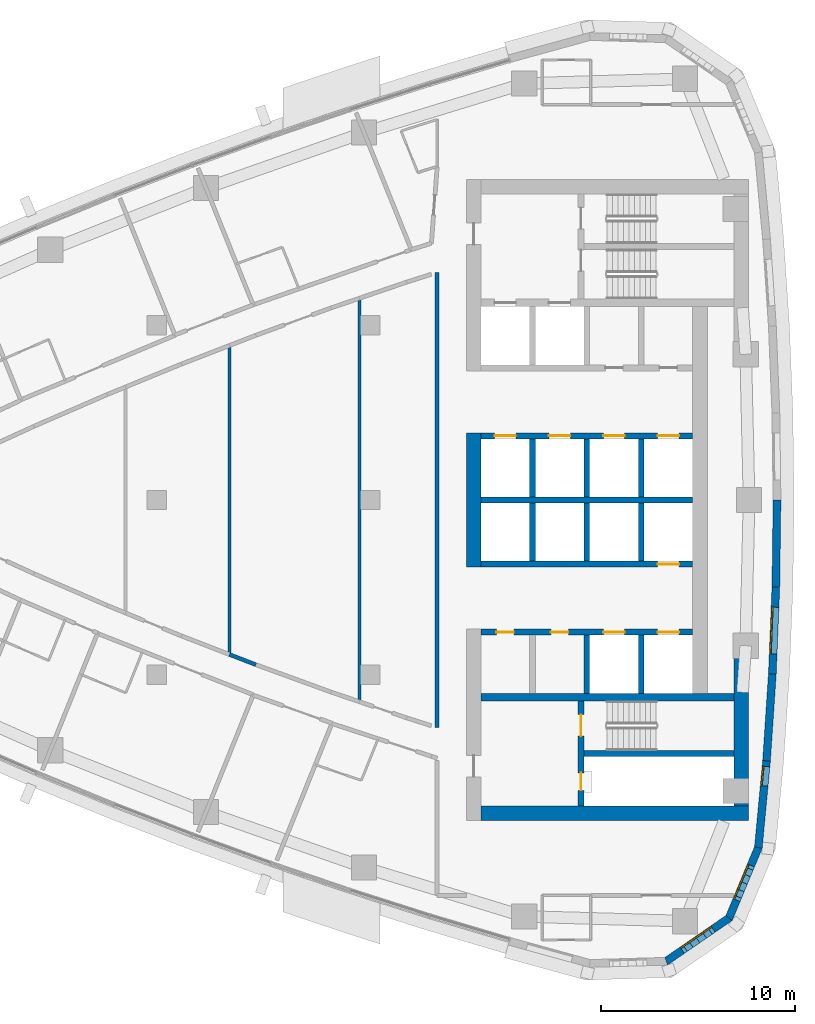
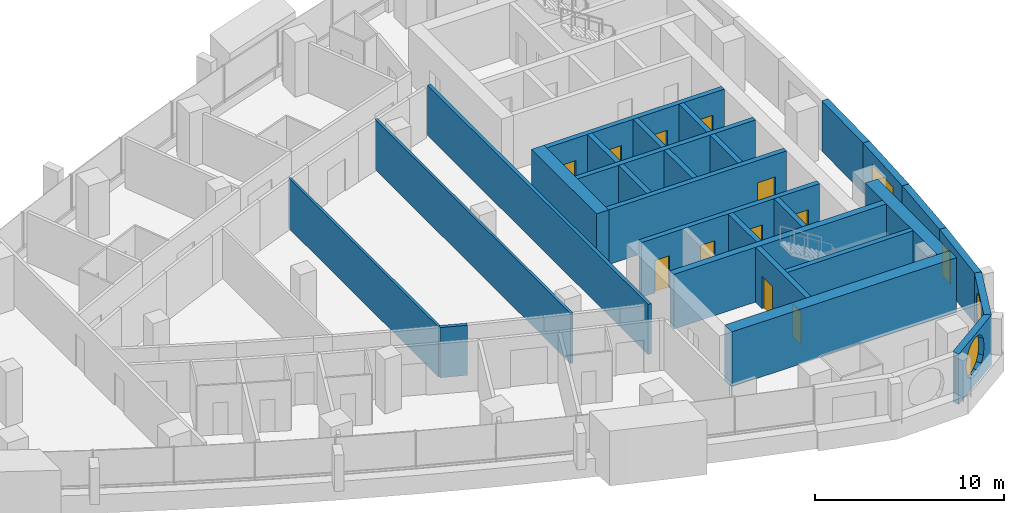
# One storey, part 11 of 17: 28 walls, 11 doors, 4 windows, 15 openings.
"""IFC4 building model written with IfcOpenShell, lengths in metres."""

from ifc_helpers import new_model, si_unit, direction, frame, frame_2d, origin, place, context, subcontext, project, spatial, polyline, rectangle, outline, extrude, material, layer, layer_set, type_object, element, fill, save


model = new_model("IFC4")

# Units and contexts
model_context = context("Model", 3, precision=1e-05, world=origin(), true_north=direction((0.0, 1.0)))
body_context = subcontext(model_context, "Body", "Model", "MODEL_VIEW")
ifc_project = project(units=[si_unit("LENGTHUNIT", "METRE"), si_unit("AREAUNIT", "SQUARE_METRE"), si_unit("VOLUMEUNIT", "CUBIC_METRE"), si_unit("PLANEANGLEUNIT", "RADIAN"), si_unit("MASSUNIT", "GRAM", prefix="KILO")], contexts=[model_context])

# Site, building, storey
site_placement = place(None, origin())
site = spatial("IfcSite", under=ifc_project, at=site_placement, CompositionType="ELEMENT")
building_placement = place(site_placement, origin())
building = spatial("IfcBuilding", under=site, at=building_placement, Name="Ostrand Prow Hotel Tower", CompositionType="ELEMENT")
storey_placement = place(building_placement, frame((0.0, 0.0, 200.35009765625)))
storey = spatial("IfcBuildingStorey", under=building, at=storey_placement, Name="L50", CompositionType="ELEMENT", Elevation=200.35009765625)

# Wall
ifc_material_1 = material(Name="Concrete C60/75", Category="concrete")
ifc_layer_1 = layer(ifc_material_1, 0.300048828125)
ifc_layer_set_1 = layer_set([ifc_layer_1], Name="Concrete C60/75")
wall_type_1 = type_object("IfcWallType", Name="Core wall 300 C60/75", PredefinedType="SHEAR", material=ifc_layer_set_1)
wall_1_placement = place(storey_placement, frame((50.699951171875, 0.0, 0.0), z_axis=(0.0, 0.0, 1.0), x_axis=(1.0, 0.0, 0.0)))
element("IfcWall", 1, at=wall_1_placement, inside=storey, type_object=wall_type_1, Name="Core wall PW-C", PredefinedType="SHEAR", context=body_context, shape_type="SweptSolid", body=[
    extrude(rectangle(XDim=10.900146484375, YDim=0.300048828125, at=frame_2d((5.4501953125, 0.0))), origin(), (0.0, 0.0, 1.0), 3.5498046875),
])

# Wall, openings, doors
wall_2_placement = place(storey_placement, frame((50.699951171875, 3.300048828125, 0.0), z_axis=(0.0, 0.0, 1.0), x_axis=(1.0, 0.0, 0.0)))
wall_2 = element("IfcWall", 2, at=wall_2_placement, inside=storey, type_object=wall_type_1, Name="Core wall PW-L1-N", PredefinedType="SHEAR", context=body_context, shape_type="SweptSolid", body=[
    extrude(rectangle(XDim=10.900146484375, YDim=0.300048828125, at=frame_2d((5.4501953125, 0.0))), origin(), (0.0, 0.0, 1.0), 3.5498046875),
])
opening_1_placement = place(wall_2_placement, frame((0.699951171875, 0.0, 0.0)))
opening_1 = element("IfcOpeningElement", 3, at=opening_1_placement, cuts=wall_2, Name="Opening LD", PredefinedType="OPENING", context=body_context, shape_type="SweptSolid", body=[
    extrude(rectangle(XDim=1.10009765625, YDim=2.10009765625, at=frame_2d((0.550048828125, 1.050048828125))), frame((0.0, 0.159912109375, 0.0), z_axis=(0.0, -1.0, 0.0), x_axis=(1.0, 0.0, 0.0)), (0.0, 0.0, 1.0), 0.320068359375),
])
opening_2_placement = place(wall_2_placement, frame((3.5, 0.0, 0.0)))
opening_2 = element("IfcOpeningElement", 4, at=opening_2_placement, cuts=wall_2, Name="Opening LD", PredefinedType="OPENING", context=body_context, shape_type="SweptSolid", body=[
    extrude(rectangle(XDim=1.10009765625, YDim=2.10009765625, at=frame_2d((0.550048828125, 1.050048828125))), frame((0.0, 0.159912109375, 0.0), z_axis=(0.0, -1.0, 0.0), x_axis=(1.0, 0.0, 0.0)), (0.0, 0.0, 1.0), 0.320068359375),
])
opening_3_placement = place(wall_2_placement, frame((6.300048828125, 0.0, 0.0)))
opening_3 = element("IfcOpeningElement", 5, at=opening_3_placement, cuts=wall_2, Name="Opening LD", PredefinedType="OPENING", context=body_context, shape_type="SweptSolid", body=[
    extrude(rectangle(XDim=1.10009765625, YDim=2.10009765625, at=frame_2d((0.550048828125, 1.050048828125))), frame((0.0, 0.159912109375, 0.0), z_axis=(0.0, -1.0, 0.0), x_axis=(1.0, 0.0, 0.0)), (0.0, 0.0, 1.0), 0.320068359375),
])
opening_4_placement = place(wall_2_placement, frame((9.10009765625, 0.0, 0.0)))
opening_4 = element("IfcOpeningElement", 6, at=opening_4_placement, cuts=wall_2, Name="Opening LD", PredefinedType="OPENING", context=body_context, shape_type="SweptSolid", body=[
    extrude(rectangle(XDim=1.10009765625, YDim=2.10009765625, at=frame_2d((0.550048828125, 1.050048828125))), frame((0.0, 0.159912109375, 0.0), z_axis=(0.0, -1.0, 0.0), x_axis=(1.0, 0.0, 0.0)), (0.0, 0.0, 1.0), 0.320068359375),
])
ifc_material_2 = material(Name="Stainless steel door", Category="steel")
door_type_1 = type_object("IfcDoorType", Name="Lift landing door 1100", OperationType="DOUBLE_DOOR_SLIDING", PredefinedType="DOOR", material=ifc_material_2)
door_1_placement = place(opening_1_placement, origin())
door_1 = element("IfcDoor", 7, at=door_1_placement, inside=storey, type_object=door_type_1, Name="LIFT LANDING DOOR", OperationType="DOUBLE_DOOR_SLIDING", OverallHeight=2.10009765625, OverallWidth=1.10009765625, PredefinedType="DOOR", context=body_context, shape_type="SweptSolid", body=[
    extrude(rectangle(XDim=1.10009765625, YDim=2.10009765625, at=frame_2d((0.550048828125, 1.050048828125))), frame((0.0, 0.02490234375, 0.0), z_axis=(0.0, -1.0, 0.0), x_axis=(1.0, 0.0, 0.0)), (0.0, 0.0, 1.0), 0.050048828125),
])
fill(opening_1, door_1)
door_2_placement = place(opening_2_placement, origin())
door_2 = element("IfcDoor", 8, at=door_2_placement, inside=storey, type_object=door_type_1, Name="LIFT LANDING DOOR", OperationType="DOUBLE_DOOR_SLIDING", OverallHeight=2.10009765625, OverallWidth=1.10009765625, PredefinedType="DOOR", context=body_context, shape_type="SweptSolid", body=[
    extrude(rectangle(XDim=1.10009765625, YDim=2.10009765625, at=frame_2d((0.550048828125, 1.050048828125))), frame((0.0, 0.02490234375, 0.0), z_axis=(0.0, -1.0, 0.0), x_axis=(1.0, 0.0, 0.0)), (0.0, 0.0, 1.0), 0.050048828125),
])
fill(opening_2, door_2)
door_3_placement = place(opening_3_placement, origin())
door_3 = element("IfcDoor", 9, at=door_3_placement, inside=storey, type_object=door_type_1, Name="LIFT LANDING DOOR", OperationType="DOUBLE_DOOR_SLIDING", OverallHeight=2.10009765625, OverallWidth=1.10009765625, PredefinedType="DOOR", context=body_context, shape_type="SweptSolid", body=[
    extrude(rectangle(XDim=1.10009765625, YDim=2.10009765625, at=frame_2d((0.550048828125, 1.050048828125))), frame((0.0, 0.02490234375, 0.0), z_axis=(0.0, -1.0, 0.0), x_axis=(1.0, 0.0, 0.0)), (0.0, 0.0, 1.0), 0.050048828125),
])
fill(opening_3, door_3)
door_4_placement = place(opening_4_placement, origin())
door_4 = element("IfcDoor", 10, at=door_4_placement, inside=storey, type_object=door_type_1, Name="LIFT LANDING DOOR", OperationType="DOUBLE_DOOR_SLIDING", OverallHeight=2.10009765625, OverallWidth=1.10009765625, PredefinedType="DOOR", context=body_context, shape_type="SweptSolid", body=[
    extrude(rectangle(XDim=1.10009765625, YDim=2.10009765625, at=frame_2d((0.550048828125, 1.050048828125))), frame((0.0, 0.02490234375, 0.0), z_axis=(0.0, -1.0, 0.0), x_axis=(1.0, 0.0, 0.0)), (0.0, 0.0, 1.0), 0.050048828125),
])
fill(opening_4, door_4)

# Walls
for number, where, z_axis, x_axis, name in (
    (11, (53.35009765625, 0.14990234375, 0.0), (0.0, 0.0, 1.0), (0.0, 1.0, 0.0), "Core wall PW-R1-NB"),
    (12, (56.14990234375, 0.14990234375, 0.0), (0.0, 0.0, 1.0), (0.0, 1.0, 0.0), "Core wall PW-R2-NB"),
    (13, (58.949951171875, 0.14990234375, 0.0), (0.0, 0.0, 1.0), (0.0, 1.0, 0.0), "Core wall PW-R3-NB"),
):
    element("IfcWall", number, at=place(storey_placement, frame(where, z_axis=z_axis, x_axis=x_axis)), inside=storey, type_object=wall_type_1, Name=name, PredefinedType="SHEAR", context=body_context, shape_type="SweptSolid", body=[
        extrude(rectangle(XDim=3.0, YDim=0.300048828125, at=frame_2d((1.5, 0.0))), origin(), (0.0, 0.0, 1.0), 3.5498046875),
    ])

# Wall, opening, door
wall_3_placement = place(storey_placement, frame((50.699951171875, -3.300048828125, 0.0), z_axis=(0.0, 0.0, 1.0), x_axis=(1.0, 0.0, 0.0)))
wall_3 = element("IfcWall", 14, at=wall_3_placement, inside=storey, type_object=wall_type_1, Name="Core wall PW-L1-S", PredefinedType="SHEAR", context=body_context, shape_type="SweptSolid", body=[
    extrude(rectangle(XDim=10.900146484375, YDim=0.300048828125, at=frame_2d((5.4501953125, 0.0))), origin(), (0.0, 0.0, 1.0), 3.5498046875),
])
opening_5_placement = place(wall_3_placement, frame((9.10009765625, 0.0, 0.0)))
opening_5 = element("IfcOpeningElement", 15, at=opening_5_placement, cuts=wall_3, Name="Opening LD", PredefinedType="OPENING", context=body_context, shape_type="SweptSolid", body=[
    extrude(rectangle(XDim=1.10009765625, YDim=2.10009765625, at=frame_2d((0.550048828125, 1.050048828125))), frame((0.0, 0.159912109375, 0.0), z_axis=(0.0, -1.0, 0.0), x_axis=(1.0, 0.0, 0.0)), (0.0, 0.0, 1.0), 0.320068359375),
])
door_5_placement = place(opening_5_placement, origin())
door_5 = element("IfcDoor", 16, at=door_5_placement, inside=storey, type_object=door_type_1, Name="LIFT LANDING DOOR", OperationType="DOUBLE_DOOR_SLIDING", OverallHeight=2.10009765625, OverallWidth=1.10009765625, PredefinedType="DOOR", context=body_context, shape_type="SweptSolid", body=[
    extrude(rectangle(XDim=1.10009765625, YDim=2.10009765625, at=frame_2d((0.550048828125, 1.050048828125))), frame((0.0, 0.02490234375, 0.0), z_axis=(0.0, -1.0, 0.0), x_axis=(1.0, 0.0, 0.0)), (0.0, 0.0, 1.0), 0.050048828125),
])
fill(opening_5, door_5)

# Wall, openings, doors
wall_4_placement = place(storey_placement, frame((50.699951171875, -6.800048828125, 0.0), z_axis=(0.0, 0.0, 1.0), x_axis=(1.0, 0.0, 0.0)))
wall_4 = element("IfcWall", 17, at=wall_4_placement, inside=storey, type_object=wall_type_1, Name="Core wall PW-L2-S", PredefinedType="SHEAR", context=body_context, shape_type="SweptSolid", body=[
    extrude(rectangle(XDim=10.900146484375, YDim=0.300048828125, at=frame_2d((5.4501953125, 0.0))), origin(), (0.0, 0.0, 1.0), 3.5498046875),
])
opening_6_placement = place(wall_4_placement, frame((6.300048828125, 0.0, 0.0)))
opening_6 = element("IfcOpeningElement", 18, at=opening_6_placement, cuts=wall_4, Name="Opening LD", PredefinedType="OPENING", context=body_context, shape_type="SweptSolid", body=[
    extrude(rectangle(XDim=1.10009765625, YDim=2.10009765625, at=frame_2d((0.550048828125, 1.050048828125))), frame((0.0, 0.159912109375, 0.0), z_axis=(0.0, -1.0, 0.0), x_axis=(1.0, 0.0, 0.0)), (0.0, 0.0, 1.0), 0.320068359375),
])
opening_7_placement = place(wall_4_placement, frame((9.10009765625, 0.0, 0.0)))
opening_7 = element("IfcOpeningElement", 19, at=opening_7_placement, cuts=wall_4, Name="Opening LD", PredefinedType="OPENING", context=body_context, shape_type="SweptSolid", body=[
    extrude(rectangle(XDim=1.10009765625, YDim=2.10009765625, at=frame_2d((0.550048828125, 1.050048828125))), frame((0.0, 0.159912109375, 0.0), z_axis=(0.0, -1.0, 0.0), x_axis=(1.0, 0.0, 0.0)), (0.0, 0.0, 1.0), 0.320068359375),
])
opening_8_placement = place(wall_4_placement, frame((0.800048828125, 0.0, 0.0)))
opening_8 = element("IfcOpeningElement", 20, at=opening_8_placement, cuts=wall_4, Name="Opening FD2", PredefinedType="OPENING", context=body_context, shape_type="SweptSolid", body=[
    extrude(rectangle(XDim=0.89990234375, YDim=2.10009765625, at=frame_2d((0.449951171875, 1.050048828125))), frame((0.0, 0.159912109375, 0.0), z_axis=(0.0, -1.0, 0.0), x_axis=(1.0, 0.0, 0.0)), (0.0, 0.0, 1.0), 0.320068359375),
])
opening_9_placement = place(wall_4_placement, frame((3.60009765625, 0.0, 0.0)))
opening_9 = element("IfcOpeningElement", 21, at=opening_9_placement, cuts=wall_4, Name="Opening FD2", PredefinedType="OPENING", context=body_context, shape_type="SweptSolid", body=[
    extrude(rectangle(XDim=0.89990234375, YDim=2.10009765625, at=frame_2d((0.449951171875, 1.050048828125))), frame((0.0, 0.159912109375, 0.0), z_axis=(0.0, -1.0, 0.0), x_axis=(1.0, 0.0, 0.0)), (0.0, 0.0, 1.0), 0.320068359375),
])
ifc_material_3 = material(Name="Steel fire door", Category="steel")
door_type_2 = type_object("IfcDoorType", Name="Fire door 900 EI120", OperationType="SINGLE_SWING_LEFT", PredefinedType="DOOR", material=ifc_material_3)
door_6_placement = place(opening_8_placement, origin())
door_6 = element("IfcDoor", 22, at=door_6_placement, inside=storey, type_object=door_type_2, Name="DOOR", OperationType="SINGLE_SWING_LEFT", OverallHeight=2.10009765625, OverallWidth=0.89990234375, PredefinedType="DOOR", context=body_context, shape_type="SweptSolid", body=[
    extrude(rectangle(XDim=0.89990234375, YDim=2.10009765625, at=frame_2d((0.449951171875, 1.050048828125))), frame((0.0, 0.02490234375, 0.0), z_axis=(0.0, -1.0, 0.0), x_axis=(1.0, 0.0, 0.0)), (0.0, 0.0, 1.0), 0.050048828125),
])
fill(opening_8, door_6)
door_7_placement = place(opening_9_placement, origin())
door_7 = element("IfcDoor", 23, at=door_7_placement, inside=storey, type_object=door_type_2, Name="DOOR", OperationType="SINGLE_SWING_LEFT", OverallHeight=2.10009765625, OverallWidth=0.89990234375, PredefinedType="DOOR", context=body_context, shape_type="SweptSolid", body=[
    extrude(rectangle(XDim=0.89990234375, YDim=2.10009765625, at=frame_2d((0.449951171875, 1.050048828125))), frame((0.0, 0.02490234375, 0.0), z_axis=(0.0, -1.0, 0.0), x_axis=(1.0, 0.0, 0.0)), (0.0, 0.0, 1.0), 0.050048828125),
])
fill(opening_9, door_7)
door_8_placement = place(opening_6_placement, origin())
door_8 = element("IfcDoor", 24, at=door_8_placement, inside=storey, type_object=door_type_1, Name="LIFT LANDING DOOR", OperationType="DOUBLE_DOOR_SLIDING", OverallHeight=2.10009765625, OverallWidth=1.10009765625, PredefinedType="DOOR", context=body_context, shape_type="SweptSolid", body=[
    extrude(rectangle(XDim=1.10009765625, YDim=2.10009765625, at=frame_2d((0.550048828125, 1.050048828125))), frame((0.0, 0.02490234375, 0.0), z_axis=(0.0, -1.0, 0.0), x_axis=(1.0, 0.0, 0.0)), (0.0, 0.0, 1.0), 0.050048828125),
])
fill(opening_6, door_8)
door_9_placement = place(opening_7_placement, origin())
door_9 = element("IfcDoor", 25, at=door_9_placement, inside=storey, type_object=door_type_1, Name="LIFT LANDING DOOR", OperationType="DOUBLE_DOOR_SLIDING", OverallHeight=2.10009765625, OverallWidth=1.10009765625, PredefinedType="DOOR", context=body_context, shape_type="SweptSolid", body=[
    extrude(rectangle(XDim=1.10009765625, YDim=2.10009765625, at=frame_2d((0.550048828125, 1.050048828125))), frame((0.0, 0.02490234375, 0.0), z_axis=(0.0, -1.0, 0.0), x_axis=(1.0, 0.0, 0.0)), (0.0, 0.0, 1.0), 0.050048828125),
])
fill(opening_7, door_9)

# Walls
for number, where, z_axis, x_axis, name in (
    (26, (53.35009765625, -3.14990234375, 0.0), (0.0, 0.0, 1.0), (0.0, 1.0, 0.0), "Core wall PW-R1-SB"),
    (27, (56.14990234375, -3.14990234375, 0.0), (0.0, 0.0, 1.0), (0.0, 1.0, 0.0), "Core wall PW-R2-SB"),
    (28, (56.14990234375, -9.949951171875, 0.0), (0.0, 0.0, 1.0), (0.0, 1.0, 0.0), "Core wall PW-R2-SA"),
    (29, (58.949951171875, -3.14990234375, 0.0), (0.0, 0.0, 1.0), (0.0, 1.0, 0.0), "Core wall PW-R3-SB"),
    (30, (58.949951171875, -9.949951171875, 0.0), (0.0, 0.0, 1.0), (0.0, 1.0, 0.0), "Core wall PW-R3-SA"),
):
    element("IfcWall", number, at=place(storey_placement, frame(where, z_axis=z_axis, x_axis=x_axis)), inside=storey, type_object=wall_type_1, Name=name, PredefinedType="SHEAR", context=body_context, shape_type="SweptSolid", body=[
        extrude(rectangle(XDim=3.0, YDim=0.300048828125, at=frame_2d((1.5, 0.0))), origin(), (0.0, 0.0, 1.0), 3.5498046875),
    ])

# Wall, openings, doors
wall_5_placement = place(storey_placement, frame((55.85009765625, -15.75, 0.0), z_axis=(0.0, 0.0, 1.0), x_axis=(0.0, 1.0, 0.0)))
wall_5 = element("IfcWall", 31, at=wall_5_placement, inside=storey, type_object=wall_type_1, Name="Core wall PW-VS", PredefinedType="SHEAR", context=body_context, shape_type="SweptSolid", body=[
    extrude(rectangle(XDim=5.39990234375, YDim=0.300048828125, at=frame_2d((2.699951171875, 0.0))), origin(), (0.0, 0.0, 1.0), 3.5498046875),
])
opening_10_placement = place(wall_5_placement, frame((3.60009765625, 0.0, 0.0)))
opening_10 = element("IfcOpeningElement", 32, at=opening_10_placement, cuts=wall_5, Name="Opening FD1", PredefinedType="OPENING", context=body_context, shape_type="SweptSolid", body=[
    extrude(rectangle(XDim=1.10009765625, YDim=2.10009765625, at=frame_2d((0.550048828125, 1.050048828125))), frame((0.0, 0.159912109375, 0.0), z_axis=(0.0, -1.0, 0.0), x_axis=(1.0, 0.0, 0.0)), (0.0, 0.0, 1.0), 0.320068359375),
])
opening_11_placement = place(wall_5_placement, frame((0.800048828125, 0.0, 0.0)))
opening_11 = element("IfcOpeningElement", 33, at=opening_11_placement, cuts=wall_5, Name="Opening FD2", PredefinedType="OPENING", context=body_context, shape_type="SweptSolid", body=[
    extrude(rectangle(XDim=0.89990234375, YDim=2.10009765625, at=frame_2d((0.449951171875, 1.050048828125))), frame((0.0, 0.159912109375, 0.0), z_axis=(0.0, -1.0, 0.0), x_axis=(1.0, 0.0, 0.0)), (0.0, 0.0, 1.0), 0.320068359375),
])
ifc_material_4 = material(Name="Steel fire door", Category="steel")
door_type_3 = type_object("IfcDoorType", Name="Fire door 1100 EI120", OperationType="SINGLE_SWING_RIGHT", PredefinedType="DOOR", material=ifc_material_4)
door_10_placement = place(opening_10_placement, origin())
door_10 = element("IfcDoor", 34, at=door_10_placement, inside=storey, type_object=door_type_3, Name="FIRE DOOR", OperationType="SINGLE_SWING_RIGHT", OverallHeight=2.10009765625, OverallWidth=1.10009765625, PredefinedType="DOOR", context=body_context, shape_type="SweptSolid", body=[
    extrude(rectangle(XDim=1.10009765625, YDim=2.10009765625, at=frame_2d((0.550048828125, 1.050048828125))), frame((0.0, 0.02490234375, 0.0), z_axis=(0.0, -1.0, 0.0), x_axis=(1.0, 0.0, 0.0)), (0.0, 0.0, 1.0), 0.050048828125),
])
fill(opening_10, door_10)
door_11_placement = place(opening_11_placement, origin())
door_11 = element("IfcDoor", 35, at=door_11_placement, inside=storey, type_object=door_type_2, Name="FIRE DOOR", OperationType="SINGLE_SWING_LEFT", OverallHeight=2.10009765625, OverallWidth=0.89990234375, PredefinedType="DOOR", context=body_context, shape_type="SweptSolid", body=[
    extrude(rectangle(XDim=0.89990234375, YDim=2.10009765625, at=frame_2d((0.449951171875, 1.050048828125))), frame((0.0, 0.02490234375, 0.0), z_axis=(0.0, -1.0, 0.0), x_axis=(1.0, 0.0, 0.0)), (0.0, 0.0, 1.0), 0.050048828125),
])
fill(opening_11, door_11)

# Walls
wall_6_placement = place(storey_placement, frame((56.0, -13.050048828125, 0.0), z_axis=(0.0, 0.0, 1.0), x_axis=(1.0, 0.0, 0.0)))
element("IfcWall", 36, at=wall_6_placement, inside=storey, type_object=wall_type_1, Name="Core wall PW-ST2R", PredefinedType="SHEAR", context=body_context, shape_type="SweptSolid", body=[
    extrude(rectangle(XDim=7.719970703125, YDim=0.300048828125, at=frame_2d((3.85986328125, 0.0))), origin(), (0.0, 0.0, 1.0), 3.5498046875),
])
ifc_material_5 = material(Name="Concrete C60/75", Category="concrete")
ifc_layer_2 = layer(ifc_material_5, 0.39990234375)
ifc_layer_set_2 = layer_set([ifc_layer_2], Name="Concrete C60/75")
wall_type_2 = type_object("IfcWallType", Name="Core wall 400 C60/75", PredefinedType="SHEAR", material=ifc_layer_set_2)
wall_7_placement = place(storey_placement, frame((50.699951171875, -10.14990234375, 0.0), z_axis=(0.0, 0.0, 1.0), x_axis=(1.0, 0.0, 0.0)))
element("IfcWall", 37, at=wall_7_placement, inside=storey, type_object=wall_type_2, Name="Core wall PW-BS", PredefinedType="SHEAR", context=body_context, shape_type="SweptSolid", body=[
    extrude(rectangle(XDim=13.02001953125, YDim=0.39990234375, at=frame_2d((6.510009765625, 0.0))), origin(), (0.0, 0.0, 1.0), 3.5498046875),
])
ifc_material_6 = material(Name="Concrete C60/75", Category="concrete")
ifc_layer_3 = layer(ifc_material_6, 0.75)
ifc_layer_set_3 = layer_set([ifc_layer_3], Name="Concrete C60/75")
wall_type_3 = type_object("IfcWallType", Name="Core wall 750 C60/75", PredefinedType="SHEAR", material=ifc_layer_set_3)
wall_8_placement = place(storey_placement, frame((50.324951171875, -3.449951171875, 0.0), z_axis=(0.0, 0.0, 1.0), x_axis=(0.0, 1.0, 0.0)))
element("IfcWall", 38, at=wall_8_placement, inside=storey, type_object=wall_type_3, Name="Core wall CW-W-C", PredefinedType="SHEAR", context=body_context, shape_type="SweptSolid", body=[
    extrude(rectangle(XDim=6.89990234375, YDim=0.75, at=frame_2d((3.449951171875, 0.0))), origin(), (0.0, 0.0, 1.0), 3.5498046875),
])
wall_9_placement = place(storey_placement, frame((50.699951171875, -16.125, 0.0), z_axis=(0.0, 0.0, 1.0), x_axis=(1.0, 0.0, 0.0)))
element("IfcWall", 39, at=wall_9_placement, inside=storey, type_object=wall_type_3, Name="Core wall CW-S", PredefinedType="SHEAR", context=body_context, shape_type="SweptSolid", body=[
    extrude(rectangle(XDim=13.77001953125, YDim=0.75, at=frame_2d((6.885009765625, 0.0))), origin(), (0.0, 0.0, 1.0), 3.5498046875),
])
wall_10_placement = place(storey_placement, frame((64.094970703125, -15.75, 0.0), z_axis=(0.0, 0.0, 1.0), x_axis=(0.0, 1.0, 0.0)))
element("IfcWall", 40, at=wall_10_placement, inside=storey, type_object=wall_type_3, Name="Core wall CW-E-S", PredefinedType="SHEAR", context=body_context, shape_type="SweptSolid", body=[
    extrude(rectangle(XDim=7.65087890625, YDim=0.75, at=frame_2d((3.825439453125, 0.0))), origin(), (0.0, 0.0, 1.0), 3.5498046875),
])
ifc_material_7 = material(Name="Plasterboard partition")
ifc_layer_4 = layer(ifc_material_7, 0.14990234375)
ifc_layer_set_4 = layer_set([ifc_layer_4], Name="Plasterboard partition")
wall_type_4 = type_object("IfcWallType", Name="Partition 150 room partition", PredefinedType="PARTITIONING", material=ifc_layer_set_4)
wall_11_placement = place(storey_placement, frame((37.751708984375, -7.951904296875, 0.0), z_axis=(0.0, 0.0, 1.0), x_axis=(0.0, 1.0, 0.0)))
element("IfcWall", 41, at=wall_11_placement, inside=storey, type_object=wall_type_4, Name="ROOM PARTITION", PredefinedType="PARTITIONING", context=body_context, shape_type="SweptSolid", body=[
    extrude(rectangle(XDim=15.90380859375, YDim=0.14990234375, at=frame_2d((7.951904296875, 0.0))), origin(), (0.0, 0.0, 1.0), 3.25),
])
wall_12_placement = place(storey_placement, frame((44.43798828125, -10.383056640625, 0.0), z_axis=(0.0, 0.0, 1.0), x_axis=(0.0, 1.0, 0.0)))
element("IfcWall", 42, at=wall_12_placement, inside=storey, type_object=wall_type_4, Name="ROOM PARTITION", PredefinedType="PARTITIONING", context=body_context, shape_type="SweptSolid", body=[
    extrude(rectangle(XDim=20.76611328125, YDim=0.14990234375, at=frame_2d((10.383056640625, 0.0))), origin(), (0.0, 0.0, 1.0), 3.25),
])
ifc_material_8 = material(Name="Plasterboard partition")
ifc_layer_5 = layer(ifc_material_8, 0.199951171875)
ifc_layer_set_5 = layer_set([ifc_layer_5], Name="Plasterboard partition")
wall_type_5 = type_object("IfcWallType", Name="Partition 200 corridor wall", PredefinedType="PARTITIONING", material=ifc_layer_set_5)
wall_13_placement = place(storey_placement, frame((39.115478515625, -8.4794921875, 0.0), z_axis=(0.0, 0.0, 1.0), x_axis=(-0.932642417559, 0.360802052335, 0.0)))
element("IfcWall", 43, at=wall_13_placement, inside=storey, type_object=wall_type_5, Name="CORRIDOR WALL", PredefinedType="PARTITIONING", context=body_context, shape_type="SweptSolid", body=[
    extrude(rectangle(XDim=1.462158203125, YDim=0.199951171875, at=frame_2d((0.73095703125, 0.0))), origin(), (0.0, 0.0, 1.0), 3.25),
])
wall_14_placement = place(storey_placement, frame((48.445068359375, 11.7099609375, 0.0), z_axis=(0.0, 0.0, 1.0), x_axis=(0.0, -1.0, 0.0)))
element("IfcWall", 44, at=wall_14_placement, inside=storey, type_object=wall_type_5, Name="CORRIDOR WALL", PredefinedType="PARTITIONING", context=body_context, shape_type="SweptSolid", body=[
    extrude(rectangle(XDim=23.419921875, YDim=0.199951171875, at=frame_2d((11.7099609375, 0.0))), origin(), (0.0, 0.0, 1.0), 3.25),
])

# Wall, opening, window
ifc_material_9 = material(Name="Precast concrete C40/50", Category="concrete")
ifc_layer_6 = layer(ifc_material_9, 0.39990234375)
ifc_layer_set_6 = layer_set([ifc_layer_6], Name="Precast concrete C40/50")
wall_type_6 = type_object("IfcWallType", Name="Stone-faced precast wall 400 mm", PredefinedType="NOTDEFINED", material=ifc_layer_set_6)
wall_15_placement = place(storey_placement, frame((60.235595703125, -23.7451171875, 0.0), z_axis=(0.0, 0.0, 1.0), x_axis=(0.823806162588, 0.566871596115, 0.0)))
wall_15 = element("IfcWall", 45, at=wall_15_placement, inside=storey, type_object=wall_type_6, Name="Stone-faced wall back 3", PredefinedType="NOTDEFINED", context=body_context, shape_type="SweptSolid", body=[
    extrude(outline(polyline([(-0.05908203125, -0.199951171875), (3.98828125, -0.199951171875), (3.8701171875, 0.199951171875), (0.05908203125, 0.199951171875), (-0.05908203125, -0.199951171875)])), origin(), (0.0, 0.0, 1.0), 3.25),
])
opening_12_placement = place(wall_15_placement, frame((0.864501953125, 0.0, 0.60009765625)))
opening_12 = element("IfcOpeningElement", 46, at=opening_12_placement, cuts=wall_15, Name="Opening WP2", PredefinedType="OPENING", context=body_context, shape_type="SweptSolid", body=[
    extrude(outline(polyline([(0.0, 1.35009765625), (0.083740234375, 1.77099609375), (0.322265625, 2.127685546875), (0.678955078125, 2.3662109375), (1.10009765625, 2.449951171875), (1.52099609375, 2.3662109375), (1.877685546875, 2.127685546875), (2.1162109375, 1.77099609375), (2.199951171875, 1.35009765625), (2.199951171875, 1.10009765625), (2.1162109375, 0.678955078125), (1.877685546875, 0.322265625), (1.52099609375, 0.083740234375), (1.10009765625, 0.0), (0.678955078125, 0.083740234375), (0.322265625, 0.322265625), (0.083740234375, 0.678955078125), (0.0, 1.099853515625), (0.0, 1.35009765625)])), frame((0.0, 0.2099609375, 0.0), z_axis=(0.0, -1.0, 0.0), x_axis=(1.0, 0.0, 0.0)), (0.0, 0.0, 1.0), 0.419921875),
])
ifc_material_10 = material(Name="Insulated glass in bronze frame", Category="glass")
window_type_1 = type_object("IfcWindowType", Name="Round-ended prow lounge window 2200x2450", PartitioningType="SINGLE_PANEL", PredefinedType="WINDOW", material=ifc_material_10)
window_1_placement = place(opening_12_placement, origin())
window_1 = element("IfcWindow", 47, at=window_1_placement, inside=storey, type_object=window_type_1, Name="Window back 3.1", OverallHeight=2.449951171875, OverallWidth=2.199951171875, PartitioningType="SINGLE_PANEL", PredefinedType="WINDOW", context=body_context, shape_type="SweptSolid", body=[
    extrude(outline(polyline([(0.0, 1.35009765625), (0.083740234375, 1.77099609375), (0.322265625, 2.127685546875), (0.678955078125, 2.3662109375), (1.10009765625, 2.449951171875), (1.52099609375, 2.3662109375), (1.877685546875, 2.127685546875), (2.1162109375, 1.77099609375), (2.199951171875, 1.35009765625), (2.199951171875, 1.10009765625), (2.1162109375, 0.678955078125), (1.877685546875, 0.322265625), (1.52099609375, 0.083740234375), (1.10009765625, 0.0), (0.678955078125, 0.083740234375), (0.322265625, 0.322265625), (0.083740234375, 0.678955078125), (0.0, 1.099853515625), (0.0, 1.35009765625)])), frame((0.0, 0.169921875, 0.0), z_axis=(0.0, -1.0, 0.0), x_axis=(1.0, 0.0, 0.0)), (0.0, 0.0, 1.0), 0.06005859375),
])
fill(opening_12, window_1)

wall_16_placement = place(storey_placement, frame((63.472412109375, -21.517822265625, 0.0), z_axis=(0.0, 0.0, 1.0), x_axis=(0.383997619794, 0.923334082547, 0.0)))
wall_16 = element("IfcWall", 48, at=wall_16_placement, inside=storey, type_object=wall_type_6, Name="Stone-faced wall back 4", PredefinedType="NOTDEFINED", context=body_context, shape_type="SweptSolid", body=[
    extrude(outline(polyline([(-0.05908203125, -0.199951171875), (3.95947265625, -0.199951171875), (3.89892578125, 0.199951171875), (0.05908203125, 0.199951171875), (-0.05908203125, -0.199951171875)])), origin(), (0.0, 0.0, 1.0), 3.25),
])
opening_13_placement = place(wall_16_placement, frame((0.864501953125, 0.0, 0.60009765625)))
opening_13 = element("IfcOpeningElement", 49, at=opening_13_placement, cuts=wall_16, Name="Opening WP2", PredefinedType="OPENING", context=body_context, shape_type="SweptSolid", body=[
    extrude(outline(polyline([(0.0, 1.35009765625), (0.083740234375, 1.77099609375), (0.322265625, 2.127685546875), (0.678955078125, 2.3662109375), (1.10009765625, 2.449951171875), (1.52099609375, 2.3662109375), (1.877685546875, 2.127685546875), (2.1162109375, 1.77099609375), (2.199951171875, 1.35009765625), (2.199951171875, 1.10009765625), (2.1162109375, 0.678955078125), (1.877685546875, 0.322265625), (1.52099609375, 0.083740234375), (1.10009765625, 0.0), (0.678955078125, 0.083740234375), (0.322265625, 0.322265625), (0.083740234375, 0.678955078125), (0.0, 1.099853515625), (0.0, 1.35009765625)])), frame((0.0, 0.2099609375, 0.0), z_axis=(0.0, -1.0, 0.0), x_axis=(1.0, 0.0, 0.0)), (0.0, 0.0, 1.0), 0.419921875),
])
window_2_placement = place(opening_13_placement, origin())
window_2 = element("IfcWindow", 50, at=window_2_placement, inside=storey, type_object=window_type_1, Name="Window back 4.1", OverallHeight=2.449951171875, OverallWidth=2.199951171875, PartitioningType="SINGLE_PANEL", PredefinedType="WINDOW", context=body_context, shape_type="SweptSolid", body=[
    extrude(outline(polyline([(0.0, 1.35009765625), (0.083740234375, 1.77099609375), (0.322265625, 2.127685546875), (0.678955078125, 2.3662109375), (1.10009765625, 2.449951171875), (1.52099609375, 2.3662109375), (1.877685546875, 2.127685546875), (2.1162109375, 1.77099609375), (2.199951171875, 1.35009765625), (2.199951171875, 1.10009765625), (2.1162109375, 0.678955078125), (1.877685546875, 0.322265625), (1.52099609375, 0.083740234375), (1.10009765625, 0.0), (0.678955078125, 0.083740234375), (0.322265625, 0.322265625), (0.083740234375, 0.678955078125), (0.0, 1.099853515625), (0.0, 1.35009765625)])), frame((0.0, 0.169921875, 0.0), z_axis=(0.0, -1.0, 0.0), x_axis=(1.0, 0.0, 0.0)), (0.0, 0.0, 1.0), 0.06005859375),
])
fill(opening_13, window_2)

wall_17_placement = place(storey_placement, frame((64.981201171875, -17.889892578125, 0.0), z_axis=(0.0, 0.0, 1.0), x_axis=(0.093605694738, 0.995609348044, 0.0)))
wall_17 = element("IfcWall", 51, at=wall_17_placement, inside=storey, type_object=wall_type_6, Name="Stone-faced wall back 5", PredefinedType="NOTDEFINED", context=body_context, shape_type="SweptSolid", body=[
    extrude(outline(polyline([(-0.0302734375, -0.199951171875), (4.483642578125, -0.199951171875), (4.478271484375, 0.199951171875), (0.0302734375, 0.199951171875), (-0.0302734375, -0.199951171875)])), origin(), (0.0, 0.0, 1.0), 3.25),
])
opening_14_placement = place(wall_17_placement, frame((3.189208984375, 0.0, 0.5)))
opening_14 = element("IfcOpeningElement", 52, at=opening_14_placement, cuts=wall_17, Name="Opening WA1-10", PredefinedType="OPENING", context=body_context, shape_type="SweptSolid", body=[
    extrude(rectangle(XDim=1.0, YDim=2.0, at=frame_2d((0.5, 1.0))), frame((0.0, 0.2099609375, 0.0), z_axis=(0.0, -1.0, 0.0), x_axis=(1.0, 0.0, 0.0)), (0.0, 0.0, 1.0), 0.419921875),
])
ifc_material_11 = material(Name="Insulated glass in bronze frame", Category="glass")
window_type_2 = type_object("IfcWindowType", Name="Amenity picture window 1000x2000", PartitioningType="SINGLE_PANEL", PredefinedType="WINDOW", material=ifc_material_11)
window_3_placement = place(opening_14_placement, origin())
window_3 = element("IfcWindow", 53, at=window_3_placement, inside=storey, type_object=window_type_2, Name="Window back 5.1", OverallHeight=2.0, OverallWidth=1.0, PartitioningType="SINGLE_PANEL", PredefinedType="WINDOW", context=body_context, shape_type="SweptSolid", body=[
    extrude(rectangle(XDim=1.0, YDim=2.0, at=frame_2d((0.5, 1.0))), frame((0.0, 0.169921875, 0.0), z_axis=(0.0, -1.0, 0.0), x_axis=(1.0, 0.0, 0.0)), (0.0, 0.0, 1.0), 0.06005859375),
])
fill(opening_14, window_3)

# Wall
wall_18_placement = place(storey_placement, frame((65.400634765625, -13.4287109375, 0.0), z_axis=(0.0, 0.0, 1.0), x_axis=(0.066905935948, 0.997759287471, 0.0)))
element("IfcWall", 54, at=wall_18_placement, inside=storey, type_object=wall_type_6, Name="Stone-faced wall back 6", PredefinedType="NOTDEFINED", context=body_context, shape_type="SweptSolid", body=[
    extrude(outline(polyline([(-0.002685546875, -0.199951171875), (4.483642578125, -0.199951171875), (4.478271484375, 0.199951171875), (0.002685546875, 0.199951171875), (-0.002685546875, -0.199951171875)])), origin(), (0.0, 0.0, 1.0), 3.25),
])

# Wall, opening, window
wall_19_placement = place(storey_placement, frame((65.700439453125, -8.957763671875, 0.0), z_axis=(0.0, 0.0, 1.0), x_axis=(0.040155165338, 0.999193456092, 0.0)))
wall_19 = element("IfcWall", 55, at=wall_19_placement, inside=storey, type_object=wall_type_6, Name="Stone-faced wall back 7", PredefinedType="NOTDEFINED", context=body_context, shape_type="SweptSolid", body=[
    extrude(outline(polyline([(-0.002685546875, -0.199951171875), (4.483642578125, -0.199951171875), (4.478271484375, 0.199951171875), (0.002685546875, 0.199951171875), (-0.002685546875, -0.199951171875)])), origin(), (0.0, 0.0, 1.0), 3.25),
])
opening_15_placement = place(wall_19_placement, frame((1.040283203125, 0.0, 0.5)))
opening_15 = element("IfcOpeningElement", 56, at=opening_15_placement, cuts=wall_19, Name="Opening WA1", PredefinedType="OPENING", context=body_context, shape_type="SweptSolid", body=[
    extrude(rectangle(XDim=2.39990234375, YDim=2.0, at=frame_2d((1.199951171875, 1.0))), frame((0.0, 0.2099609375, 0.0), z_axis=(0.0, -1.0, 0.0), x_axis=(1.0, 0.0, 0.0)), (0.0, 0.0, 1.0), 0.419921875),
])
ifc_material_12 = material(Name="Insulated glass in bronze frame", Category="glass")
window_type_3 = type_object("IfcWindowType", Name="Amenity picture window 2400x2000", PartitioningType="SINGLE_PANEL", PredefinedType="WINDOW", material=ifc_material_12)
window_4_placement = place(opening_15_placement, origin())
window_4 = element("IfcWindow", 57, at=window_4_placement, inside=storey, type_object=window_type_3, Name="Window back 7.1", OverallHeight=2.0, OverallWidth=2.39990234375, PartitioningType="SINGLE_PANEL", PredefinedType="WINDOW", context=body_context, shape_type="SweptSolid", body=[
    extrude(rectangle(XDim=2.39990234375, YDim=2.0, at=frame_2d((1.199951171875, 1.0))), frame((0.0, 0.169921875, 0.0), z_axis=(0.0, -1.0, 0.0), x_axis=(1.0, 0.0, 0.0)), (0.0, 0.0, 1.0), 0.06005859375),
])
fill(opening_15, window_4)

# Wall
wall_20_placement = place(storey_placement, frame((65.88037109375, -4.48046875, 0.0), z_axis=(0.0, 0.0, 1.0), x_axis=(0.013348854104, 0.999910900078, 0.0)))
element("IfcWall", 58, at=wall_20_placement, inside=storey, type_object=wall_type_6, Name="Stone-faced wall back 8", PredefinedType="NOTDEFINED", context=body_context, shape_type="SweptSolid", body=[
    extrude(outline(polyline([(-0.002685546875, -0.199951171875), (4.483642578125, -0.199951171875), (4.478271484375, 0.199951171875), (0.002685546875, 0.199951171875), (-0.002685546875, -0.199951171875)])), origin(), (0.0, 0.0, 1.0), 3.25),
])

save(model, "model.ifc")
